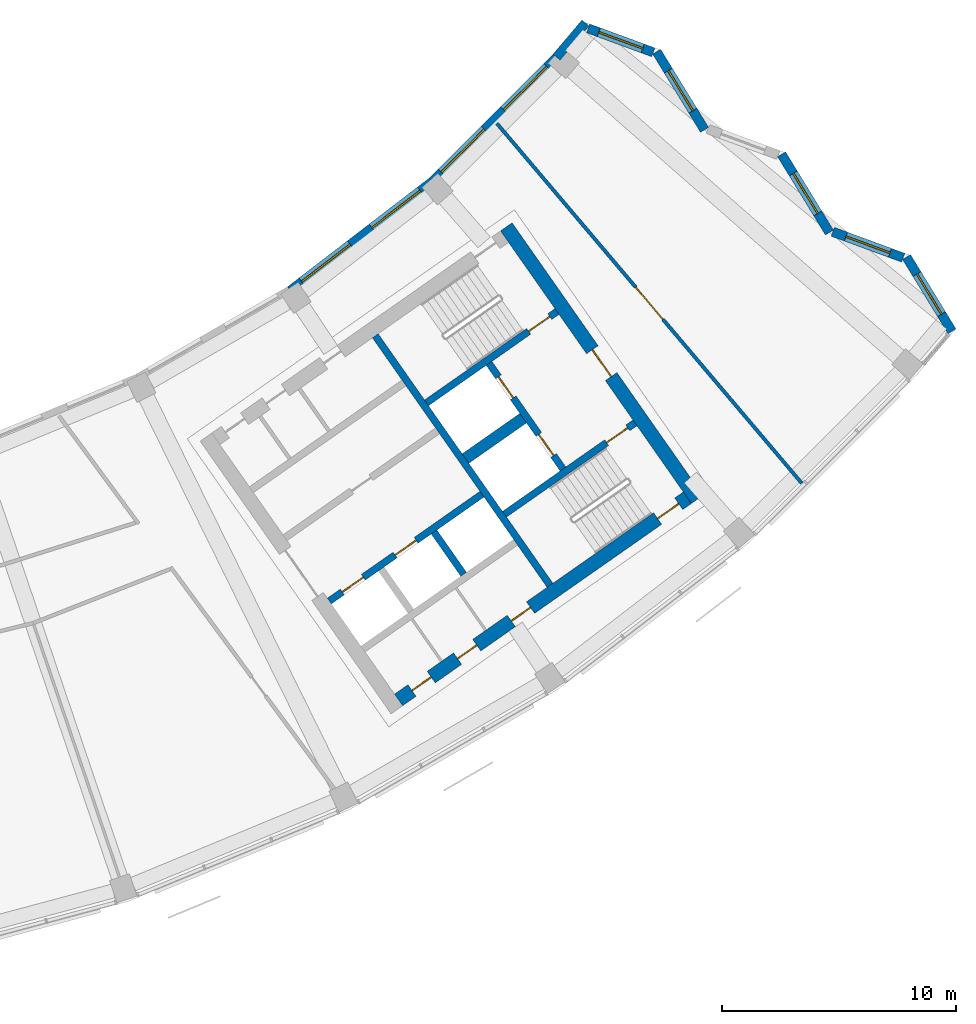
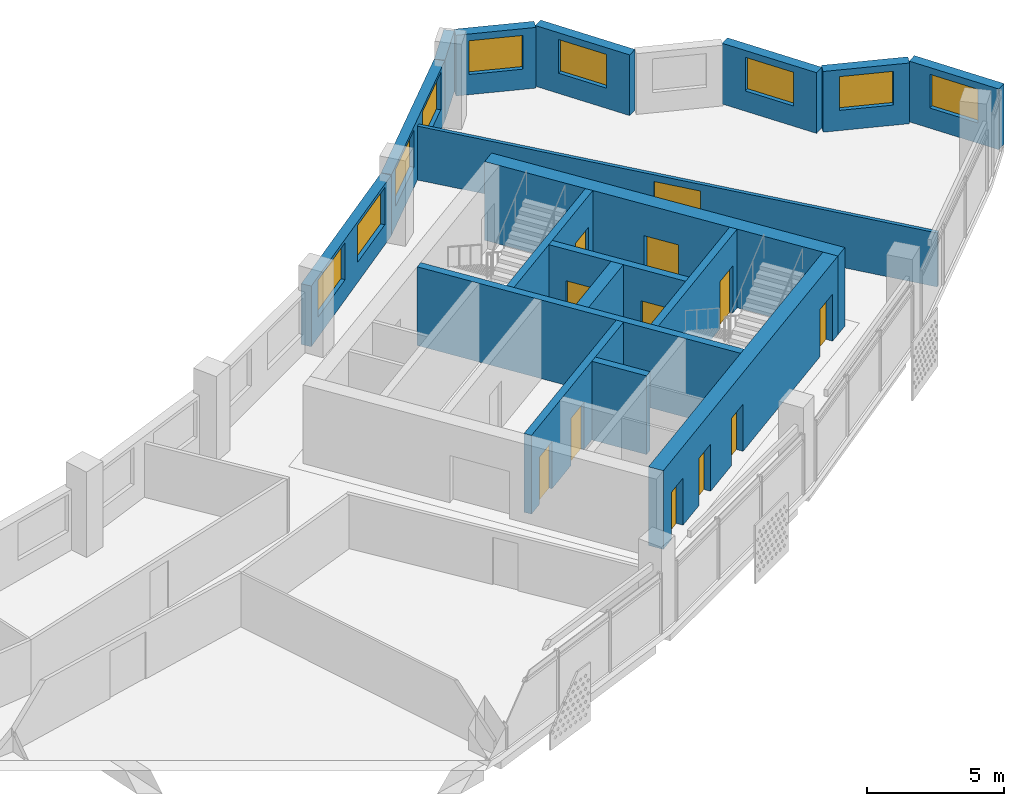
# One storey, part 7 of 28: 18 walls, 12 doors, 9 windows, 21 openings.
"""IFC4 building model written with IfcOpenShell, lengths in metres."""

import ifcopenshell
import ifcopenshell.guid

model = None  # the IFC model being written
_history = None  # IfcOwnerHistory: only IFC2X3 demands one
_inside = {}  # id of a spatial element -> (the spatial element, [elements in it])
_under = {}  # id of a project, library or spatial element -> (it, [spatial elements below it])
_declared = {}  # id of a project -> (the project, [libraries it declares])
_typed = {}  # id of a type object -> (the type object, [elements of that type])
_made_of = {}  # id of a material, layer set ... -> (it, [elements and type objects made of it])


def new_model(schema):
    """Start an empty IFC model of exactly this schema.

    Asked for "IFC4X3", IfcOpenShell would pick the latest addendum, in which some entities
    have other attributes; the version numbers below select the first issue.
    IFC2X3 requires an IfcOwnerHistory on every rooted entity: one is made here for all.
    """
    global model, _history
    if schema == "IFC4X3":
        model = ifcopenshell.file(schema_version=(4, 3, 0, 0))
    else:
        model = ifcopenshell.file(schema=schema)
    _inside.clear()
    _under.clear()
    _declared.clear()
    _typed.clear()
    _made_of.clear()
    _history = None
    if model.schema == "IFC2X3":
        org = make("IfcOrganization", Name="unknown")
        user = make(
            "IfcPersonAndOrganization",
            ThePerson=make("IfcPerson", FamilyName="unknown"),
            TheOrganization=org,
        )
        app = make(
            "IfcApplication",
            ApplicationDeveloper=org,
            Version="unknown",
            ApplicationFullName="unknown",
            ApplicationIdentifier="unknown",
        )
        _history = make(
            "IfcOwnerHistory",
            OwningUser=user,
            OwningApplication=app,
            ChangeAction="ADDED",
            CreationDate=0,
        )
    return model


def make(cls, **values):
    """One entity of the class cls with the attributes given. An attribute that is None is left unset."""
    return model.create_entity(
        cls, **{name: value for name, value in values.items() if value is not None}
    )


def rooted(cls, **values):
    """An entity with a GlobalId (a new one), such as an element, a storey or a relation."""
    return make(cls, GlobalId=ifcopenshell.guid.new(), OwnerHistory=_history, **values)


def si_unit(unit_type, name, prefix=None):
    """IfcSIUnit, for example si_unit("LENGTHUNIT", "METRE", prefix="MILLI")."""
    return make("IfcSIUnit", UnitType=unit_type, Prefix=prefix, Name=name)


def assignment(units):
    """IfcUnitAssignment: the units of a project."""
    return None if units is None else make("IfcUnitAssignment", Units=units)


def point(xyz):
    """IfcCartesianPoint."""
    return None if xyz is None else make("IfcCartesianPoint", Coordinates=xyz)


def direction(xyz):
    """IfcDirection."""
    return None if xyz is None else make("IfcDirection", DirectionRatios=xyz)


def frame(location, z_axis=None, x_axis=None):
    """IfcAxis2Placement3D, a coordinate frame: its origin and axes. An axis left out is left unset."""
    return make(
        "IfcAxis2Placement3D",
        Location=point(location),
        Axis=direction(z_axis),
        RefDirection=direction(x_axis),
    )


def frame_2d(location, x_axis=None):
    """IfcAxis2Placement2D, a coordinate frame in the plane: its origin and x axis."""
    return make(
        "IfcAxis2Placement2D", Location=point(location), RefDirection=direction(x_axis)
    )


def origin():
    """The frame at (0, 0, 0) with its axes left unset."""
    return frame((0.0, 0.0, 0.0))


def place(relative_to, where):
    """IfcLocalPlacement: puts the frame where relative to a parent placement (None: the world)."""
    return make(
        "IfcLocalPlacement", PlacementRelTo=relative_to, RelativePlacement=where
    )


def context(
    kind, dimensions, precision=None, world=None, true_north=None, identifier=None
):
    """IfcGeometricRepresentationContext, for example the 3D "Model" context."""
    return make(
        "IfcGeometricRepresentationContext",
        ContextIdentifier=identifier,
        ContextType=kind,
        CoordinateSpaceDimension=dimensions,
        Precision=precision,
        WorldCoordinateSystem=world,
        TrueNorth=true_north,
    )


def subcontext(parent, identifier, kind, view, scale=None):
    """IfcGeometricRepresentationSubContext, for example "Body" below "Model"."""
    return make(
        "IfcGeometricRepresentationSubContext",
        ContextIdentifier=identifier,
        ContextType=kind,
        ParentContext=parent,
        TargetScale=scale,
        TargetView=view,
    )


def project(units=None, contexts=None):
    """IfcProject with its units and contexts."""
    return rooted(
        "IfcProject",
        Name="project",
        RepresentationContexts=contexts,
        UnitsInContext=assignment(units),
    )


def spatial(cls, under=None, at=None, **own):
    """A site, building, storey or space (cls), placed at a placement, below another one or the project."""
    s = rooted(cls, ObjectPlacement=at, **own)
    if under is not None:
        _under.setdefault(under.id(), (under, []))[1].append(s)
    return s


def profile(cls, at=None, kind="AREA", **sizes):
    """A parametric profile (cls). Its sizes go by their IFC names, for example OverallWidth=200.0."""
    return make(cls, ProfileType=kind, Position=at, **sizes)


def rectangle(**sizes):
    """IfcRectangleProfileDef."""
    return profile("IfcRectangleProfileDef", **sizes)


def extrude(swept, where, along, depth):
    """IfcExtrudedAreaSolid: the profile swept, set in the frame where, extruded along a direction by depth."""
    return make(
        "IfcExtrudedAreaSolid",
        SweptArea=swept,
        Position=where,
        ExtrudedDirection=direction(along),
        Depth=depth,
    )


def shape(context_of_items, identifier, shape_type, items):
    """IfcShapeRepresentation: the items that make up one representation, for example the "Body"."""
    return make(
        "IfcShapeRepresentation",
        ContextOfItems=context_of_items,
        RepresentationIdentifier=identifier,
        RepresentationType=shape_type,
        Items=items,
    )


def material(Name=None, Category=None):
    """IfcMaterial."""
    return make("IfcMaterial", Name=Name, Category=Category)


def layer(
    of_material, thickness, ventilated=None, Name=None, Category=None, Priority=None
):
    """IfcMaterialLayer: one layer of a wall or slab, of a material (None: an air gap)."""
    return make(
        "IfcMaterialLayer",
        Material=of_material,
        LayerThickness=thickness,
        IsVentilated=ventilated,
        Name=Name,
        Category=Category,
        Priority=Priority,
    )


def layer_set(layers, Name=None):
    """IfcMaterialLayerSet."""
    return make("IfcMaterialLayerSet", MaterialLayers=layers, LayerSetName=Name)


def made_of(thing, what):
    """Note that an element or type object is made of a material, layer set ...; save() writes the relation."""
    if what is not None:
        _made_of.setdefault(what.id(), (what, []))[1].append(thing)
    return thing


def type_object(cls, material=None, **own):
    """A type object (cls), such as IfcWallType, which elements share."""
    return made_of(rooted(cls, **own), material)


def element(
    cls,
    number,
    at=None,
    inside=None,
    cuts=None,
    type_object=None,
    material=None,
    context=None,
    identifier="Body",
    shape_type=None,
    held_by="IfcProductDefinitionShape",
    body=None,
    shapes=None,
    **own,
):
    """One element of the class cls, such as IfcWall. Its Tag is "e" and its number.

    at: its placement. inside: the storey or other place that contains it. cuts: it is an
    opening in that element (IfcRelVoidsElement). A single representation is given by context,
    identifier, shape_type and body (its items); several are given by shapes. held_by: the class
    of the entity that holds the representations. save() writes the other relations.
    """
    e = rooted(cls, Tag="e%d" % number, ObjectPlacement=at, **own)
    if body is not None:
        shapes = [shape(context, identifier, shape_type, body)]
    if shapes is not None:
        e.Representation = make(held_by, Representations=shapes)
    if inside is not None:
        _inside.setdefault(inside.id(), (inside, []))[1].append(e)
    if cuts is not None:
        rooted(
            "IfcRelVoidsElement", RelatingBuildingElement=cuts, RelatedOpeningElement=e
        )
    if type_object is not None:
        _typed.setdefault(type_object.id(), (type_object, []))[1].append(e)
    return made_of(e, material)


def fill(opening, filler):
    """IfcRelFillsElement: the door or window that sits in an opening."""
    return rooted(
        "IfcRelFillsElement",
        RelatingOpeningElement=opening,
        RelatedBuildingElement=filler,
    )


def aggregate(whole, parts):
    """IfcRelAggregates: a whole, such as a stair, and the parts it consists of."""
    return rooted("IfcRelAggregates", RelatingObject=whole, RelatedObjects=parts)


def save(model, path):
    """Write the relations noted so far, then the file.

    IfcRelAggregates (storeys below a building ...), IfcRelContainedInSpatialStructure (elements
    in a storey), IfcRelDefinesByType, IfcRelAssociatesMaterial and IfcRelDeclares: one each for
    every whole, place, type object, material and project.
    """
    for whole, parts in _under.values():
        aggregate(whole, parts)
    for where, things in _inside.values():
        rooted(
            "IfcRelContainedInSpatialStructure",
            RelatedElements=things,
            RelatingStructure=where,
        )
    for kind, things in _typed.values():
        rooted("IfcRelDefinesByType", RelatedObjects=things, RelatingType=kind)
    for what, things in _made_of.values():
        rooted("IfcRelAssociatesMaterial", RelatedObjects=things, RelatingMaterial=what)
    for by, libraries in _declared.values():
        rooted("IfcRelDeclares", RelatingContext=by, RelatedDefinitions=libraries)
    model.write(path)


model = new_model("IFC4")

# Units and contexts
model_context = context("Model", 3, precision=1e-05, world=origin(), true_north=direction((0.0, 1.0)))
body_context = subcontext(model_context, "Body", "Model", "MODEL_VIEW")
ifc_project = project(units=[si_unit("LENGTHUNIT", "METRE"), si_unit("AREAUNIT", "SQUARE_METRE"), si_unit("VOLUMEUNIT", "CUBIC_METRE"), si_unit("PLANEANGLEUNIT", "RADIAN"), si_unit("MASSUNIT", "GRAM", prefix="KILO")], contexts=[model_context])

# Site, building, storey
site_placement = place(None, origin())
site = spatial("IfcSite", under=ifc_project, at=site_placement, CompositionType="ELEMENT")
building_placement = place(site_placement, origin())
building = spatial("IfcBuilding", under=site, at=building_placement, Name="Qamariyya Broadcast Tower", CompositionType="ELEMENT")
storey_placement = place(building_placement, frame((0.0, 0.0, 277.10009765625)))
storey = spatial("IfcBuildingStorey", under=building, at=storey_placement, Name="L67", CompositionType="ELEMENT", Elevation=277.10009765625)

# Wall, opening, door
ifc_material_1 = material(Name="Concrete C60/75", Category="concrete")
ifc_layer_1 = layer(ifc_material_1, 0.60009765625)
ifc_layer_set_1 = layer_set([ifc_layer_1], Name="Core wall 600 mm Concrete C60/75")
wall_type_1 = type_object("IfcWallType", Name="Core wall 600 mm Concrete C60/75", PredefinedType="SHEAR", material=ifc_layer_set_1)
wall_1_placement = place(storey_placement, frame((49.4833984375, -57.031494140625, 0.0), z_axis=(0.0, 0.0, 1.0), x_axis=(-0.573560421458, 0.819163257805, 0.0)))
wall_1 = element("IfcWall", 1, at=wall_1_placement, inside=storey, type_object=wall_type_1, Name="k-E-L67-WH", PredefinedType="SHEAR", context=body_context, shape_type="SweptSolid", body=[
    extrude(rectangle(XDim=14.199951171875, YDim=0.60009765625, at=frame_2d((7.10009765625, 0.0))), origin(), (0.0, 0.0, 1.0), 3.5),
])
opening_1_placement = place(wall_1_placement, frame((6.39990234375, 0.0, 0.0)))
opening_1 = element("IfcOpeningElement", 2, at=opening_1_placement, cuts=wall_1, Name="Opening KD2-E1", PredefinedType="OPENING", context=body_context, shape_type="SweptSolid", body=[
    extrude(rectangle(XDim=1.39990234375, YDim=2.10009765625, at=frame_2d((0.699951171875, 1.050048828125))), frame((0.0, 0.31005859375, 0.0), z_axis=(0.0, -1.0, 0.0), x_axis=(1.0, 0.0, 0.0)), (0.0, 0.0, 1.0), 0.6201171875),
])
ifc_material_2 = material(Name="Steel fire-resisting door leaf", Category="steel")
door_type_1 = type_object("IfcDoorType", Name="Fire-fighting lobby door KD2", OperationType="DOUBLE_DOOR_SINGLE_SWING", PredefinedType="DOOR", material=ifc_material_2)
door_1_placement = place(opening_1_placement, origin())
door_1 = element("IfcDoor", 3, at=door_1_placement, inside=storey, type_object=door_type_1, Name="k-E-L67-WH-D13", OperationType="DOUBLE_DOOR_SINGLE_SWING", OverallHeight=2.10009765625, OverallWidth=1.39990234375, PredefinedType="DOOR", context=body_context, shape_type="SweptSolid", body=[
    extrude(rectangle(XDim=1.39990234375, YDim=2.10009765625, at=frame_2d((0.699951171875, 1.050048828125))), frame((0.0, 0.02490234375, 0.0), z_axis=(0.0, -1.0, 0.0), x_axis=(1.0, 0.0, 0.0)), (0.0, 0.0, 1.0), 0.050048828125),
])
fill(opening_1, door_1)

# Wall, openings, doors
wall_2_placement = place(storey_placement, frame((36.7412109375, -65.58740234375, 0.0), z_axis=(0.0, 0.0, 1.0), x_axis=(0.819153391756, 0.573574511963, 0.0)))
wall_2 = element("IfcWall", 4, at=wall_2_placement, inside=storey, type_object=wall_type_1, Name="k-E-L67-WO", PredefinedType="SHEAR", context=body_context, shape_type="SweptSolid", body=[
    extrude(rectangle(XDim=15.04541015625, YDim=0.60009765625, at=frame_2d((7.522705078125, 0.0))), origin(), (0.0, 0.0, 1.0), 3.5),
])
opening_2_placement = place(wall_2_placement, frame((0.699951171875, 0.0, 0.0)))
opening_2 = element("IfcOpeningElement", 5, at=opening_2_placement, cuts=wall_2, Name="Opening KD6-E3", PredefinedType="OPENING", context=body_context, shape_type="SweptSolid", body=[
    extrude(rectangle(XDim=1.0, YDim=2.10009765625, at=frame_2d((0.5, 1.050048828125))), frame((0.0, 0.31005859375, 0.0), z_axis=(0.0, -1.0, 0.0), x_axis=(1.0, 0.0, 0.0)), (0.0, 0.0, 1.0), 0.6201171875),
])
opening_3_placement = place(wall_2_placement, frame((3.074951171875, 0.0, 0.0)))
opening_3 = element("IfcOpeningElement", 6, at=opening_3_placement, cuts=wall_2, Name="Opening KD4-E1", PredefinedType="OPENING", context=body_context, shape_type="SweptSolid", body=[
    extrude(rectangle(XDim=1.0, YDim=2.10009765625, at=frame_2d((0.5, 1.050048828125))), frame((0.0, 0.31005859375, 0.0), z_axis=(0.0, -1.0, 0.0), x_axis=(1.0, 0.0, 0.0)), (0.0, 0.0, 1.0), 0.6201171875),
])
opening_4_placement = place(wall_2_placement, frame((5.875, 0.0, 0.0)))
opening_4 = element("IfcOpeningElement", 7, at=opening_4_placement, cuts=wall_2, Name="Opening KD4-E2", PredefinedType="OPENING", context=body_context, shape_type="SweptSolid", body=[
    extrude(rectangle(XDim=1.0, YDim=2.10009765625, at=frame_2d((0.5, 1.050048828125))), frame((0.0, 0.31005859375, 0.0), z_axis=(0.0, -1.0, 0.0), x_axis=(1.0, 0.0, 0.0)), (0.0, 0.0, 1.0), 0.6201171875),
])
opening_5_placement = place(wall_2_placement, frame((13.495361328125, 0.0, 0.0)))
opening_5 = element("IfcOpeningElement", 8, at=opening_5_placement, cuts=wall_2, Name="Opening KD1-E3", PredefinedType="OPENING", context=body_context, shape_type="SweptSolid", body=[
    extrude(rectangle(XDim=1.10009765625, YDim=2.10009765625, at=frame_2d((0.550048828125, 1.050048828125))), frame((0.0, 0.31005859375, 0.0), z_axis=(0.0, -1.0, 0.0), x_axis=(1.0, 0.0, 0.0)), (0.0, 0.0, 1.0), 0.6201171875),
])
door_type_2 = type_object("IfcDoorType", Name="Core room door KD6", OperationType="SINGLE_SWING_LEFT", PredefinedType="DOOR", material=ifc_material_2)
door_2_placement = place(opening_2_placement, origin())
door_2 = element("IfcDoor", 9, at=door_2_placement, inside=storey, type_object=door_type_2, Name="k-E-L67-WO-D8", OperationType="SINGLE_SWING_RIGHT", OverallHeight=2.10009765625, OverallWidth=1.0, PredefinedType="DOOR", context=body_context, shape_type="SweptSolid", body=[
    extrude(rectangle(XDim=1.0, YDim=2.10009765625, at=frame_2d((0.5, 1.050048828125))), frame((0.0, 0.02490234375, 0.0), z_axis=(0.0, -1.0, 0.0), x_axis=(1.0, 0.0, 0.0)), (0.0, 0.0, 1.0), 0.050048828125),
])
fill(opening_2, door_2)
door_type_3 = type_object("IfcDoorType", Name="Riser and plant door KD4", OperationType="SINGLE_SWING_LEFT", PredefinedType="DOOR", material=ifc_material_2)
door_3_placement = place(opening_3_placement, origin())
door_3 = element("IfcDoor", 10, at=door_3_placement, inside=storey, type_object=door_type_3, Name="k-E-L67-WO-D9", OperationType="SINGLE_SWING_LEFT", OverallHeight=2.10009765625, OverallWidth=1.0, PredefinedType="DOOR", context=body_context, shape_type="SweptSolid", body=[
    extrude(rectangle(XDim=1.0, YDim=2.10009765625, at=frame_2d((0.5, 1.050048828125))), frame((0.0, 0.02490234375, 0.0), z_axis=(0.0, -1.0, 0.0), x_axis=(1.0, 0.0, 0.0)), (0.0, 0.0, 1.0), 0.050048828125),
])
fill(opening_3, door_3)
door_4_placement = place(opening_4_placement, origin())
door_4 = element("IfcDoor", 11, at=door_4_placement, inside=storey, type_object=door_type_3, Name="k-E-L67-WO-D10", OperationType="SINGLE_SWING_RIGHT", OverallHeight=2.10009765625, OverallWidth=1.0, PredefinedType="DOOR", context=body_context, shape_type="SweptSolid", body=[
    extrude(rectangle(XDim=1.0, YDim=2.10009765625, at=frame_2d((0.5, 1.050048828125))), frame((0.0, 0.02490234375, 0.0), z_axis=(0.0, -1.0, 0.0), x_axis=(1.0, 0.0, 0.0)), (0.0, 0.0, 1.0), 0.050048828125),
])
fill(opening_4, door_4)
door_type_4 = type_object("IfcDoorType", Name="Stair door KD1", OperationType="SINGLE_SWING_LEFT", PredefinedType="DOOR", material=ifc_material_2)
door_5_placement = place(opening_5_placement, origin())
door_5 = element("IfcDoor", 12, at=door_5_placement, inside=storey, type_object=door_type_4, Name="k-E-L67-WO-D16", OperationType="SINGLE_SWING_LEFT", OverallHeight=2.10009765625, OverallWidth=1.10009765625, PredefinedType="DOOR", context=body_context, shape_type="SweptSolid", body=[
    extrude(rectangle(XDim=1.10009765625, YDim=2.10009765625, at=frame_2d((0.550048828125, 1.050048828125))), frame((0.0, 0.02490234375, 0.0), z_axis=(0.0, -1.0, 0.0), x_axis=(1.0, 0.0, 0.0)), (0.0, 0.0, 1.0), 0.050048828125),
])
fill(opening_5, door_5)

# Wall, opening, door
ifc_material_3 = material(Name="Gypsum board partition")
ifc_layer_2 = layer(ifc_material_3, 0.14990234375)
ifc_layer_set_2 = layer_set([ifc_layer_2], Name="Corridor partition 150 EI 60")
wall_type_2 = type_object("IfcWallType", Name="Corridor partition 150 EI 60", PredefinedType="PARTITIONING", material=ifc_layer_set_2)
wall_3_placement = place(storey_placement, frame((40.93603515625, -40.982666015625, 0.0), z_axis=(0.0, 0.0, 1.0), x_axis=(0.646426079671, -0.76297662056, 0.0)))
wall_3 = element("IfcWall", 13, at=wall_3_placement, inside=storey, type_object=wall_type_2, Name="Partition L67-028", PredefinedType="PARTITIONING", context=body_context, shape_type="SweptSolid", body=[
    extrude(rectangle(XDim=20.1259765625, YDim=0.14990234375, at=frame_2d((10.06298828125, 0.0))), origin(), (0.0, 0.0, 1.0), 2.39990234375),
])
opening_6_placement = place(wall_3_placement, frame((9.1630859375, 0.0, 0.0)))
opening_6 = element("IfcOpeningElement", 14, at=opening_6_placement, cuts=wall_3, Name="Opening L67-D14", PredefinedType="OPENING", context=body_context, shape_type="SweptSolid", body=[
    extrude(rectangle(XDim=1.800048828125, YDim=2.10009765625, at=frame_2d((0.89990234375, 1.050048828125))), frame((0.0, 0.0849609375, 0.0), z_axis=(0.0, -1.0, 0.0), x_axis=(1.0, 0.0, 0.0)), (0.0, 0.0, 1.0), 0.169921875),
])
ifc_material_4 = material(Name="Timber fire door leaf", Category="wood")
door_type_5 = type_object("IfcDoorType", Name="Double fire door 1800 x 2100 FD60", OperationType="NOTDEFINED", PredefinedType="DOOR", material=ifc_material_4)
door_6_placement = place(opening_6_placement, origin())
door_6 = element("IfcDoor", 15, at=door_6_placement, inside=storey, type_object=door_type_5, Name="Door L67-D14", OperationType="DOUBLE_DOOR_SINGLE_SWING", OverallHeight=2.10009765625, OverallWidth=1.800048828125, PredefinedType="DOOR", context=body_context, shape_type="SweptSolid", body=[
    extrude(rectangle(XDim=1.800048828125, YDim=2.10009765625, at=frame_2d((0.89990234375, 1.050048828125))), frame((0.0, 0.02490234375, 0.0), z_axis=(0.0, -1.0, 0.0), x_axis=(1.0, 0.0, 0.0)), (0.0, 0.0, 1.0), 0.050048828125),
])
fill(opening_6, door_6)

# Walls
ifc_layer_3 = layer(ifc_material_1, 0.5)
ifc_layer_set_3 = layer_set([ifc_layer_3], Name="Fire-fighting lobby divider wall 500 mm Concrete C60/75")
wall_type_3 = type_object("IfcWallType", Name="Fire-fighting lobby divider wall 500 mm Concrete C60/75", PredefinedType="SOLIDWALL", material=ifc_layer_set_3)
wall_4_placement = place(storey_placement, frame((39.59912109375, -55.28515625, 0.0), z_axis=(0.0, 0.0, 1.0), x_axis=(0.819136323161, 0.573598887793, 0.0)))
element("IfcWall", 16, at=wall_4_placement, inside=storey, type_object=wall_type_3, Name="k-E-L67-FD", PredefinedType="SOLIDWALL", context=body_context, shape_type="SweptSolid", body=[
    extrude(rectangle(XDim=2.999755859375, YDim=0.5, at=frame_2d((1.5, 0.0))), origin(), (0.0, 0.0, 1.0), 3.5),
])
ifc_layer_4 = layer(ifc_material_1, 0.300048828125)
ifc_layer_set_4 = layer_set([ifc_layer_4], Name="Lift shaft wall 300 mm Concrete C60/75")
wall_type_4 = type_object("IfcWallType", Name="Lift shaft wall 300 mm Concrete C60/75", PredefinedType="SOLIDWALL", material=ifc_layer_set_4)
wall_5_placement = place(storey_placement, frame((43.204345703125, -60.69580078125, 0.0), z_axis=(0.0, 0.0, 1.0), x_axis=(-0.573571992966, 0.819155155563, 0.0)))
element("IfcWall", 17, at=wall_5_placement, inside=storey, type_object=wall_type_4, Name="k-E-L67-WL", PredefinedType="SOLIDWALL", context=body_context, shape_type="SweptSolid", body=[
    extrude(rectangle(XDim=13.000244140625, YDim=0.300048828125, at=frame_2d((6.5, 0.0))), origin(), (0.0, 0.0, 1.0), 3.5),
])

# Wall, openings, doors
wall_6_placement = place(storey_placement, frame((33.787353515625, -61.368896484375, 0.0), z_axis=(0.0, 0.0, 1.0), x_axis=(0.819152564888, 0.573575692858, 0.0)))
wall_6 = element("IfcWall", 18, at=wall_6_placement, inside=storey, type_object=wall_type_4, Name="k-E-L67-SF0", PredefinedType="SOLIDWALL", context=body_context, shape_type="SweptSolid", body=[
    extrude(rectangle(XDim=7.9501953125, YDim=0.300048828125, at=frame_2d((3.97509765625, 0.0))), origin(), (0.0, 0.0, 1.0), 3.5),
])
opening_7_placement = place(wall_6_placement, frame((0.675048828125, 0.0, 0.0)))
opening_7 = element("IfcOpeningElement", 19, at=opening_7_placement, cuts=wall_6, Name="Opening LD", PredefinedType="OPENING", context=body_context, shape_type="SweptSolid", body=[
    extrude(rectangle(XDim=1.10009765625, YDim=2.10009765625, at=frame_2d((0.550048828125, 1.050048828125))), frame((0.0, 0.159912109375, 0.0), z_axis=(0.0, -1.0, 0.0), x_axis=(1.0, 0.0, 0.0)), (0.0, 0.0, 1.0), 0.320068359375),
])
opening_8_placement = place(wall_6_placement, frame((3.425048828125, 0.0, 0.0)))
opening_8 = element("IfcOpeningElement", 20, at=opening_8_placement, cuts=wall_6, Name="Opening LD", PredefinedType="OPENING", context=body_context, shape_type="SweptSolid", body=[
    extrude(rectangle(XDim=1.10009765625, YDim=2.10009765625, at=frame_2d((0.550048828125, 1.050048828125))), frame((0.0, 0.159912109375, 0.0), z_axis=(0.0, -1.0, 0.0), x_axis=(1.0, 0.0, 0.0)), (0.0, 0.0, 1.0), 0.320068359375),
])
door_type_6 = type_object("IfcDoorType", Name="Lift landing door LD", OperationType="DOUBLE_DOOR_SLIDING", PredefinedType="DOOR", material=ifc_material_2)
door_7_placement = place(opening_7_placement, origin())
door_7 = element("IfcDoor", 21, at=door_7_placement, inside=storey, type_object=door_type_6, Name="k-E-L67-SF0-D3", OperationType="DOUBLE_DOOR_SLIDING", OverallHeight=2.10009765625, OverallWidth=1.10009765625, PredefinedType="DOOR", context=body_context, shape_type="SweptSolid", body=[
    extrude(rectangle(XDim=1.10009765625, YDim=2.10009765625, at=frame_2d((0.550048828125, 1.050048828125))), frame((0.0, 0.02490234375, 0.0), z_axis=(0.0, -1.0, 0.0), x_axis=(1.0, 0.0, 0.0)), (0.0, 0.0, 1.0), 0.050048828125),
])
fill(opening_7, door_7)
door_8_placement = place(opening_8_placement, origin())
door_8 = element("IfcDoor", 22, at=door_8_placement, inside=storey, type_object=door_type_6, Name="k-E-L67-SF0-D4", OperationType="DOUBLE_DOOR_SLIDING", OverallHeight=2.10009765625, OverallWidth=1.10009765625, PredefinedType="DOOR", context=body_context, shape_type="SweptSolid", body=[
    extrude(rectangle(XDim=1.10009765625, YDim=2.10009765625, at=frame_2d((0.550048828125, 1.050048828125))), frame((0.0, 0.02490234375, 0.0), z_axis=(0.0, -1.0, 0.0), x_axis=(1.0, 0.0, 0.0)), (0.0, 0.0, 1.0), 0.050048828125),
])
fill(opening_8, door_8)

# Wall
wall_7_placement = place(storey_placement, frame((38.255859375, -58.423095703125, 0.0), z_axis=(0.0, 0.0, 1.0), x_axis=(0.573633636671, -0.819111989218, 0.0)))
element("IfcWall", 23, at=wall_7_placement, inside=storey, type_object=wall_type_4, Name="k-E-L67-SD1", PredefinedType="SOLIDWALL", context=body_context, shape_type="SweptSolid", body=[
    extrude(rectangle(XDim=2.199951171875, YDim=0.300048828125, at=frame_2d((1.10009765625, 0.0))), origin(), (0.0, 0.0, 1.0), 3.5),
])

# Wall, opening, door
wall_8_placement = place(storey_placement, frame((37.935546875, -52.90966796875, 0.0), z_axis=(0.0, 0.0, 1.0), x_axis=(0.819147518138, 0.57358290031, 0.0)))
wall_8 = element("IfcWall", 24, at=wall_8_placement, inside=storey, type_object=wall_type_4, Name="k-E-L67-NW", PredefinedType="SOLIDWALL", context=body_context, shape_type="SweptSolid", body=[
    extrude(rectangle(XDim=6.79541015625, YDim=0.300048828125, at=frame_2d((3.397705078125, 0.0))), origin(), (0.0, 0.0, 1.0), 3.5),
])
opening_9_placement = place(wall_8_placement, frame((5.3203125, 0.0, 0.0)))
opening_9 = element("IfcOpeningElement", 25, at=opening_9_placement, cuts=wall_8, Name="Opening KD1-E2", PredefinedType="OPENING", context=body_context, shape_type="SweptSolid", body=[
    extrude(rectangle(XDim=1.10009765625, YDim=2.10009765625, at=frame_2d((0.550048828125, 1.050048828125))), frame((0.0, 0.159912109375, 0.0), z_axis=(0.0, -1.0, 0.0), x_axis=(1.0, 0.0, 0.0)), (0.0, 0.0, 1.0), 0.320068359375),
])
door_9_placement = place(opening_9_placement, origin())
door_9 = element("IfcDoor", 26, at=door_9_placement, inside=storey, type_object=door_type_4, Name="k-E-L67-NW-D15", OperationType="SINGLE_SWING_LEFT", OverallHeight=2.10009765625, OverallWidth=1.10009765625, PredefinedType="DOOR", context=body_context, shape_type="SweptSolid", body=[
    extrude(rectangle(XDim=1.10009765625, YDim=2.10009765625, at=frame_2d((0.550048828125, 1.050048828125))), frame((0.0, 0.02490234375, 0.0), z_axis=(0.0, -1.0, 0.0), x_axis=(1.0, 0.0, 0.0)), (0.0, 0.0, 1.0), 0.050048828125),
])
fill(opening_9, door_9)

wall_9_placement = place(storey_placement, frame((41.262451171875, -57.66064453125, 0.0), z_axis=(0.0, 0.0, 1.0), x_axis=(0.819164398642, 0.573558792102, 0.0)))
wall_9 = element("IfcWall", 27, at=wall_9_placement, inside=storey, type_object=wall_type_4, Name="k-E-L67-SW", PredefinedType="SOLIDWALL", context=body_context, shape_type="SweptSolid", body=[
    extrude(rectangle(XDim=6.795166015625, YDim=0.300048828125, at=frame_2d((3.3974609375, 0.0))), origin(), (0.0, 0.0, 1.0), 3.5),
])
opening_10_placement = place(wall_9_placement, frame((5.3203125, 0.0, 0.0)))
opening_10 = element("IfcOpeningElement", 28, at=opening_10_placement, cuts=wall_9, Name="Opening KD1-E4", PredefinedType="OPENING", context=body_context, shape_type="SweptSolid", body=[
    extrude(rectangle(XDim=1.10009765625, YDim=2.10009765625, at=frame_2d((0.550048828125, 1.050048828125))), frame((0.0, 0.159912109375, 0.0), z_axis=(0.0, -1.0, 0.0), x_axis=(1.0, 0.0, 0.0)), (0.0, 0.0, 1.0), 0.320068359375),
])
door_10_placement = place(opening_10_placement, origin())
door_10 = element("IfcDoor", 29, at=door_10_placement, inside=storey, type_object=door_type_4, Name="k-E-L67-SW-D17", OperationType="SINGLE_SWING_LEFT", OverallHeight=2.10009765625, OverallWidth=1.10009765625, PredefinedType="DOOR", context=body_context, shape_type="SweptSolid", body=[
    extrude(rectangle(XDim=1.10009765625, YDim=2.10009765625, at=frame_2d((0.550048828125, 1.050048828125))), frame((0.0, 0.02490234375, 0.0), z_axis=(0.0, -1.0, 0.0), x_axis=(1.0, 0.0, 0.0)), (0.0, 0.0, 1.0), 0.050048828125),
])
fill(opening_10, door_10)

# Wall, openings, doors
wall_10_placement = place(storey_placement, frame((43.756591796875, -55.731201171875, 0.0), z_axis=(0.0, 0.0, 1.0), x_axis=(-0.573536818435, 0.819179783625, 0.0)))
wall_10 = element("IfcWall", 30, at=wall_10_placement, inside=storey, type_object=wall_type_4, Name="k-E-L67-FF", PredefinedType="SOLIDWALL", context=body_context, shape_type="SweptSolid", body=[
    extrude(rectangle(XDim=5.500244140625, YDim=0.300048828125, at=frame_2d((2.75, 0.0))), origin(), (0.0, 0.0, 1.0), 3.5),
])
opening_11_placement = place(wall_10_placement, frame((0.699951171875, 0.0, 0.0)))
opening_11 = element("IfcOpeningElement", 31, at=opening_11_placement, cuts=wall_10, Name="Opening LD", PredefinedType="OPENING", context=body_context, shape_type="SweptSolid", body=[
    extrude(rectangle(XDim=1.10009765625, YDim=2.10009765625, at=frame_2d((0.550048828125, 1.050048828125))), frame((0.0, 0.159912109375, 0.0), z_axis=(0.0, -1.0, 0.0), x_axis=(1.0, 0.0, 0.0)), (0.0, 0.0, 1.0), 0.320068359375),
])
opening_12_placement = place(wall_10_placement, frame((3.699951171875, 0.0, 0.0)))
opening_12 = element("IfcOpeningElement", 32, at=opening_12_placement, cuts=wall_10, Name="Opening LD", PredefinedType="OPENING", context=body_context, shape_type="SweptSolid", body=[
    extrude(rectangle(XDim=1.10009765625, YDim=2.10009765625, at=frame_2d((0.550048828125, 1.050048828125))), frame((0.0, 0.159912109375, 0.0), z_axis=(0.0, -1.0, 0.0), x_axis=(1.0, 0.0, 0.0)), (0.0, 0.0, 1.0), 0.320068359375),
])
door_11_placement = place(opening_11_placement, origin())
door_11 = element("IfcDoor", 33, at=door_11_placement, inside=storey, type_object=door_type_6, Name="k-E-L67-FF-D11", OperationType="DOUBLE_DOOR_SLIDING", OverallHeight=2.10009765625, OverallWidth=1.10009765625, PredefinedType="DOOR", context=body_context, shape_type="SweptSolid", body=[
    extrude(rectangle(XDim=1.10009765625, YDim=2.10009765625, at=frame_2d((0.550048828125, 1.050048828125))), frame((0.0, 0.02490234375, 0.0), z_axis=(0.0, -1.0, 0.0), x_axis=(1.0, 0.0, 0.0)), (0.0, 0.0, 1.0), 0.050048828125),
])
fill(opening_11, door_11)
door_12_placement = place(opening_12_placement, origin())
door_12 = element("IfcDoor", 34, at=door_12_placement, inside=storey, type_object=door_type_6, Name="k-E-L67-FF-D12", OperationType="DOUBLE_DOOR_SLIDING", OverallHeight=2.10009765625, OverallWidth=1.10009765625, PredefinedType="DOOR", context=body_context, shape_type="SweptSolid", body=[
    extrude(rectangle(XDim=1.10009765625, YDim=2.10009765625, at=frame_2d((0.550048828125, 1.050048828125))), frame((0.0, 0.02490234375, 0.0), z_axis=(0.0, -1.0, 0.0), x_axis=(1.0, 0.0, 0.0)), (0.0, 0.0, 1.0), 0.050048828125),
])
fill(opening_12, door_12)

# Wall, opening, window
ifc_material_5 = material(Name="Terracotta", Category="masonry")
ifc_layer_5 = layer(ifc_material_5, 0.39990234375)
ifc_layer_set_5 = layer_set([ifc_layer_5], Name="Terracotta clad wall 400")
wall_type_5 = type_object("IfcWallType", Name="Terracotta clad wall 400", PredefinedType="SOLIDWALL", material=ifc_layer_set_5)
wall_11_placement = place(storey_placement, frame((60.357421875, -49.8544921875, 0.0), z_axis=(0.0, 0.0, 1.0), x_axis=(-0.521827212322, 0.853051206248, 0.0)))
wall_11 = element("IfcWall", 35, at=wall_11_placement, inside=storey, type_object=wall_type_5, Name="e-wl-L67-capE0", PredefinedType="SOLIDWALL", context=body_context, shape_type="SweptSolid", body=[
    extrude(rectangle(XDim=3.717041015625, YDim=0.39990234375, at=frame_2d((1.8583984375, 0.0))), origin(), (0.0, 0.0, 1.0), 2.699951171875),
])
opening_13_placement = place(wall_11_placement, frame((0.858642578125, 0.0, 0.89990234375)))
opening_13 = element("IfcOpeningElement", 36, at=opening_13_placement, cuts=wall_11, Name="Opening W4", PredefinedType="OPENING", context=body_context, shape_type="SweptSolid", body=[
    extrude(rectangle(XDim=2.0, YDim=1.5, at=frame_2d((1.0, 0.75))), frame((0.0, 0.2099609375, 0.0), z_axis=(0.0, -1.0, 0.0), x_axis=(1.0, 0.0, 0.0)), (0.0, 0.0, 1.0), 0.419921875),
])
ifc_material_6 = material(Name="Clear low-e double glazed unit in aluminium frame", Category="aluminium")
window_type_1 = type_object("IfcWindowType", Name="Horn bay window 2000 x 1500", PartitioningType="SINGLE_PANEL", PredefinedType="WINDOW", material=ifc_material_6)
window_1_placement = place(opening_13_placement, origin())
window_1 = element("IfcWindow", 37, at=window_1_placement, inside=storey, type_object=window_type_1, Name="e-w-L67-capE0", OverallHeight=1.5, OverallWidth=2.0, PartitioningType="SINGLE_PANEL", PredefinedType="WINDOW", context=body_context, shape_type="SweptSolid", body=[
    extrude(rectangle(XDim=2.0, YDim=1.5, at=frame_2d((1.0, 0.75))), frame((0.0, 0.030029296875, 0.0), z_axis=(0.0, -1.0, 0.0), x_axis=(1.0, 0.0, 0.0)), (0.0, 0.0, 1.0), 0.06005859375),
])
fill(opening_13, window_1)

wall_12_placement = place(storey_placement, frame((58.274658203125, -46.713623046875, 0.0), z_axis=(0.0, 0.0, 1.0), x_axis=(-0.938539664468, 0.345171404118, 0.0)))
wall_12 = element("IfcWall", 38, at=wall_12_placement, inside=storey, type_object=wall_type_5, Name="e-wl-L67-capE1", PredefinedType="SOLIDWALL", context=body_context, shape_type="SweptSolid", body=[
    extrude(rectangle(XDim=3.199951171875, YDim=0.39990234375, at=frame_2d((1.60009765625, 0.0))), origin(), (0.0, 0.0, 1.0), 2.699951171875),
])
opening_14_placement = place(wall_12_placement, frame((0.60009765625, 0.0, 0.89990234375)))
opening_14 = element("IfcOpeningElement", 39, at=opening_14_placement, cuts=wall_12, Name="Opening W4", PredefinedType="OPENING", context=body_context, shape_type="SweptSolid", body=[
    extrude(rectangle(XDim=2.0, YDim=1.5, at=frame_2d((1.0, 0.75))), frame((0.0, 0.2099609375, 0.0), z_axis=(0.0, -1.0, 0.0), x_axis=(1.0, 0.0, 0.0)), (0.0, 0.0, 1.0), 0.419921875),
])
window_2_placement = place(opening_14_placement, origin())
window_2 = element("IfcWindow", 40, at=window_2_placement, inside=storey, type_object=window_type_1, Name="e-w-L67-capE1", OverallHeight=1.5, OverallWidth=2.0, PartitioningType="SINGLE_PANEL", PredefinedType="WINDOW", context=body_context, shape_type="SweptSolid", body=[
    extrude(rectangle(XDim=2.0, YDim=1.5, at=frame_2d((1.0, 0.75))), frame((0.0, 0.030029296875, 0.0), z_axis=(0.0, -1.0, 0.0), x_axis=(1.0, 0.0, 0.0)), (0.0, 0.0, 1.0), 0.06005859375),
])
fill(opening_14, window_2)

wall_13_placement = place(storey_placement, frame((55.12841796875, -45.63916015625, 0.0), z_axis=(0.0, 0.0, 1.0), x_axis=(-0.521881527916, 0.853017978017, 0.0)))
wall_13 = element("IfcWall", 41, at=wall_13_placement, inside=storey, type_object=wall_type_5, Name="e-wl-L67-capE2", PredefinedType="SOLIDWALL", context=body_context, shape_type="SweptSolid", body=[
    extrude(rectangle(XDim=3.912841796875, YDim=0.39990234375, at=frame_2d((1.95654296875, 0.0))), origin(), (0.0, 0.0, 1.0), 2.699951171875),
])
opening_15_placement = place(wall_13_placement, frame((0.956298828125, 0.0, 0.89990234375)))
opening_15 = element("IfcOpeningElement", 42, at=opening_15_placement, cuts=wall_13, Name="Opening W4", PredefinedType="OPENING", context=body_context, shape_type="SweptSolid", body=[
    extrude(rectangle(XDim=2.0, YDim=1.5, at=frame_2d((1.0, 0.75))), frame((0.0, 0.2099609375, 0.0), z_axis=(0.0, -1.0, 0.0), x_axis=(1.0, 0.0, 0.0)), (0.0, 0.0, 1.0), 0.419921875),
])
window_3_placement = place(opening_15_placement, origin())
window_3 = element("IfcWindow", 43, at=window_3_placement, inside=storey, type_object=window_type_1, Name="e-w-L67-capE2", OverallHeight=1.5, OverallWidth=2.0, PartitioningType="SINGLE_PANEL", PredefinedType="WINDOW", context=body_context, shape_type="SweptSolid", body=[
    extrude(rectangle(XDim=2.0, YDim=1.5, at=frame_2d((1.0, 0.75))), frame((0.0, 0.030029296875, 0.0), z_axis=(0.0, -1.0, 0.0), x_axis=(1.0, 0.0, 0.0)), (0.0, 0.0, 1.0), 0.06005859375),
])
fill(opening_15, window_3)

wall_14_placement = place(storey_placement, frame((49.798095703125, -41.2578125, 0.0), z_axis=(0.0, 0.0, 1.0), x_axis=(-0.522007545748, 0.852940866756, 0.0)))
wall_14 = element("IfcWall", 44, at=wall_14_placement, inside=storey, type_object=wall_type_5, Name="e-wl-L67-capE4", PredefinedType="SOLIDWALL", context=body_context, shape_type="SweptSolid", body=[
    extrude(rectangle(XDim=3.91357421875, YDim=0.39990234375, at=frame_2d((1.956787109375, 0.0))), origin(), (0.0, 0.0, 1.0), 2.699951171875),
])
opening_16_placement = place(wall_14_placement, frame((0.95703125, 0.0, 0.89990234375)))
opening_16 = element("IfcOpeningElement", 45, at=opening_16_placement, cuts=wall_14, Name="Opening W4", PredefinedType="OPENING", context=body_context, shape_type="SweptSolid", body=[
    extrude(rectangle(XDim=2.0, YDim=1.5, at=frame_2d((1.0, 0.75))), frame((0.0, 0.2099609375, 0.0), z_axis=(0.0, -1.0, 0.0), x_axis=(1.0, 0.0, 0.0)), (0.0, 0.0, 1.0), 0.419921875),
])
window_4_placement = place(opening_16_placement, origin())
window_4 = element("IfcWindow", 46, at=window_4_placement, inside=storey, type_object=window_type_1, Name="e-w-L67-capE4", OverallHeight=1.5, OverallWidth=2.0, PartitioningType="SINGLE_PANEL", PredefinedType="WINDOW", context=body_context, shape_type="SweptSolid", body=[
    extrude(rectangle(XDim=2.0, YDim=1.5, at=frame_2d((1.0, 0.75))), frame((0.0, 0.030029296875, 0.0), z_axis=(0.0, -1.0, 0.0), x_axis=(1.0, 0.0, 0.0)), (0.0, 0.0, 1.0), 0.06005859375),
])
fill(opening_16, window_4)

wall_15_placement = place(storey_placement, frame((47.612060546875, -37.94970703125, 0.0), z_axis=(0.0, 0.0, 1.0), x_axis=(-0.938597805506, 0.345013274381, 0.0)))
wall_15 = element("IfcWall", 47, at=wall_15_placement, inside=storey, type_object=wall_type_5, Name="e-wl-L67-capE5", PredefinedType="SOLIDWALL", context=body_context, shape_type="SweptSolid", body=[
    extrude(rectangle(XDim=2.959228515625, YDim=0.39990234375, at=frame_2d((1.4794921875, 0.0))), origin(), (0.0, 0.0, 1.0), 2.699951171875),
])
opening_17_placement = place(wall_15_placement, frame((0.479736328125, 0.0, 0.89990234375)))
opening_17 = element("IfcOpeningElement", 48, at=opening_17_placement, cuts=wall_15, Name="Opening W4", PredefinedType="OPENING", context=body_context, shape_type="SweptSolid", body=[
    extrude(rectangle(XDim=2.0, YDim=1.5, at=frame_2d((1.0, 0.75))), frame((0.0, 0.2099609375, 0.0), z_axis=(0.0, -1.0, 0.0), x_axis=(1.0, 0.0, 0.0)), (0.0, 0.0, 1.0), 0.419921875),
])
window_5_placement = place(opening_17_placement, origin())
window_5 = element("IfcWindow", 49, at=window_5_placement, inside=storey, type_object=window_type_1, Name="e-w-L67-capE5", OverallHeight=1.5, OverallWidth=2.0, PartitioningType="SINGLE_PANEL", PredefinedType="WINDOW", context=body_context, shape_type="SweptSolid", body=[
    extrude(rectangle(XDim=2.0, YDim=1.5, at=frame_2d((1.0, 0.75))), frame((0.0, 0.030029296875, 0.0), z_axis=(0.0, -1.0, 0.0), x_axis=(1.0, 0.0, 0.0)), (0.0, 0.0, 1.0), 0.06005859375),
])
fill(opening_17, window_5)

# Wall, openings, windows
wall_16_placement = place(storey_placement, frame((38.163330078125, -43.47900390625, 0.0), z_axis=(0.0, 0.0, 1.0), x_axis=(-0.793347844099, -0.608768591719, 0.0)))
wall_16 = element("IfcWall", 50, at=wall_16_placement, inside=storey, type_object=wall_type_5, Name="e-wl-L67-in120", PredefinedType="SOLIDWALL", context=body_context, shape_type="SweptSolid", body=[
    extrude(rectangle(XDim=7.617431640625, YDim=0.39990234375, at=frame_2d((3.80859375, 0.0))), origin(), (0.0, 0.0, 1.0), 2.699951171875),
])
opening_18_placement = place(wall_16_placement, frame((4.393798828125, 0.0, 0.89990234375)))
opening_18 = element("IfcOpeningElement", 51, at=opening_18_placement, cuts=wall_16, Name="Opening W1", PredefinedType="OPENING", context=body_context, shape_type="SweptSolid", body=[
    extrude(rectangle(XDim=2.60009765625, YDim=1.64990234375, at=frame_2d((1.300048828125, 0.824951171875))), frame((0.0, 0.2099609375, 0.0), z_axis=(0.0, -1.0, 0.0), x_axis=(1.0, 0.0, 0.0)), (0.0, 0.0, 1.0), 0.419921875),
])
opening_19_placement = place(wall_16_placement, frame((0.623291015625, 0.0, 0.89990234375)))
opening_19 = element("IfcOpeningElement", 52, at=opening_19_placement, cuts=wall_16, Name="Opening W1", PredefinedType="OPENING", context=body_context, shape_type="SweptSolid", body=[
    extrude(rectangle(XDim=2.60009765625, YDim=1.64990234375, at=frame_2d((1.300048828125, 0.824951171875))), frame((0.0, 0.2099609375, 0.0), z_axis=(0.0, -1.0, 0.0), x_axis=(1.0, 0.0, 0.0)), (0.0, 0.0, 1.0), 0.419921875),
])
window_type_2 = type_object("IfcWindowType", Name="Ribbon window 2600 x 1650", PartitioningType="SINGLE_PANEL", PredefinedType="WINDOW", material=ifc_material_6)
window_6_placement = place(opening_18_placement, origin())
window_6 = element("IfcWindow", 53, at=window_6_placement, inside=storey, type_object=window_type_2, Name="e-w-L67-in12-0", OverallHeight=1.64990234375, OverallWidth=2.60009765625, PartitioningType="SINGLE_PANEL", PredefinedType="WINDOW", context=body_context, shape_type="SweptSolid", body=[
    extrude(rectangle(XDim=2.60009765625, YDim=1.64990234375, at=frame_2d((1.300048828125, 0.824951171875))), frame((0.0, 0.030029296875, 0.0), z_axis=(0.0, -1.0, 0.0), x_axis=(1.0, 0.0, 0.0)), (0.0, 0.0, 1.0), 0.06005859375),
])
fill(opening_18, window_6)
window_7_placement = place(opening_19_placement, origin())
window_7 = element("IfcWindow", 54, at=window_7_placement, inside=storey, type_object=window_type_2, Name="e-w-L67-in12-1", OverallHeight=1.64990234375, OverallWidth=2.60009765625, PartitioningType="SINGLE_PANEL", PredefinedType="WINDOW", context=body_context, shape_type="SweptSolid", body=[
    extrude(rectangle(XDim=2.60009765625, YDim=1.64990234375, at=frame_2d((1.300048828125, 0.824951171875))), frame((0.0, 0.030029296875, 0.0), z_axis=(0.0, -1.0, 0.0), x_axis=(1.0, 0.0, 0.0)), (0.0, 0.0, 1.0), 0.06005859375),
])
fill(opening_19, window_7)

wall_17_placement = place(storey_placement, frame((43.46875, -38.1689453125, 0.0), z_axis=(0.0, 0.0, 1.0), x_axis=(-0.707106781187, -0.707106781187, 0.0)))
wall_17 = element("IfcWall", 55, at=wall_17_placement, inside=storey, type_object=wall_type_5, Name="e-wl-L67-in130", PredefinedType="SOLIDWALL", context=body_context, shape_type="SweptSolid", body=[
    extrude(rectangle(XDim=7.48046875, YDim=0.39990234375, at=frame_2d((3.740234375, 0.0))), origin(), (0.0, 0.0, 1.0), 2.699951171875),
])
opening_20_placement = place(wall_17_placement, frame((4.332763671875, 0.0, 0.89990234375)))
opening_20 = element("IfcOpeningElement", 56, at=opening_20_placement, cuts=wall_17, Name="Opening W1", PredefinedType="OPENING", context=body_context, shape_type="SweptSolid", body=[
    extrude(rectangle(XDim=2.60009765625, YDim=1.64990234375, at=frame_2d((1.300048828125, 0.824951171875))), frame((0.0, 0.2099609375, 0.0), z_axis=(0.0, -1.0, 0.0), x_axis=(1.0, 0.0, 0.0)), (0.0, 0.0, 1.0), 0.419921875),
])
opening_21_placement = place(wall_17_placement, frame((0.562255859375, 0.0, 0.89990234375)))
opening_21 = element("IfcOpeningElement", 57, at=opening_21_placement, cuts=wall_17, Name="Opening W1", PredefinedType="OPENING", context=body_context, shape_type="SweptSolid", body=[
    extrude(rectangle(XDim=2.60009765625, YDim=1.64990234375, at=frame_2d((1.300048828125, 0.824951171875))), frame((0.0, 0.2099609375, 0.0), z_axis=(0.0, -1.0, 0.0), x_axis=(1.0, 0.0, 0.0)), (0.0, 0.0, 1.0), 0.419921875),
])
window_8_placement = place(opening_20_placement, origin())
window_8 = element("IfcWindow", 58, at=window_8_placement, inside=storey, type_object=window_type_2, Name="e-w-L67-in13-0", OverallHeight=1.64990234375, OverallWidth=2.60009765625, PartitioningType="SINGLE_PANEL", PredefinedType="WINDOW", context=body_context, shape_type="SweptSolid", body=[
    extrude(rectangle(XDim=2.60009765625, YDim=1.64990234375, at=frame_2d((1.300048828125, 0.824951171875))), frame((0.0, 0.030029296875, 0.0), z_axis=(0.0, -1.0, 0.0), x_axis=(1.0, 0.0, 0.0)), (0.0, 0.0, 1.0), 0.06005859375),
])
fill(opening_20, window_8)
window_9_placement = place(opening_21_placement, origin())
window_9 = element("IfcWindow", 59, at=window_9_placement, inside=storey, type_object=window_type_2, Name="e-w-L67-in13-1", OverallHeight=1.64990234375, OverallWidth=2.60009765625, PartitioningType="SINGLE_PANEL", PredefinedType="WINDOW", context=body_context, shape_type="SweptSolid", body=[
    extrude(rectangle(XDim=2.60009765625, YDim=1.64990234375, at=frame_2d((1.300048828125, 0.824951171875))), frame((0.0, 0.030029296875, 0.0), z_axis=(0.0, -1.0, 0.0), x_axis=(1.0, 0.0, 0.0)), (0.0, 0.0, 1.0), 0.06005859375),
])
fill(opening_21, window_9)

# Wall
wall_18_placement = place(storey_placement, frame((44.71826171875, -36.701171875, 0.0), z_axis=(0.0, 0.0, 1.0), x_axis=(-0.647229421732, -0.762295268019, 0.0)))
element("IfcWall", 60, at=wall_18_placement, inside=storey, type_object=wall_type_5, Name="e-wl-L67-in140", PredefinedType="SOLIDWALL", context=body_context, shape_type="SweptSolid", body=[
    extrude(rectangle(XDim=1.91162109375, YDim=0.39990234375, at=frame_2d((0.955810546875, 0.0))), origin(), (0.0, 0.0, 1.0), 2.699951171875),
])

save(model, "model.ifc")
